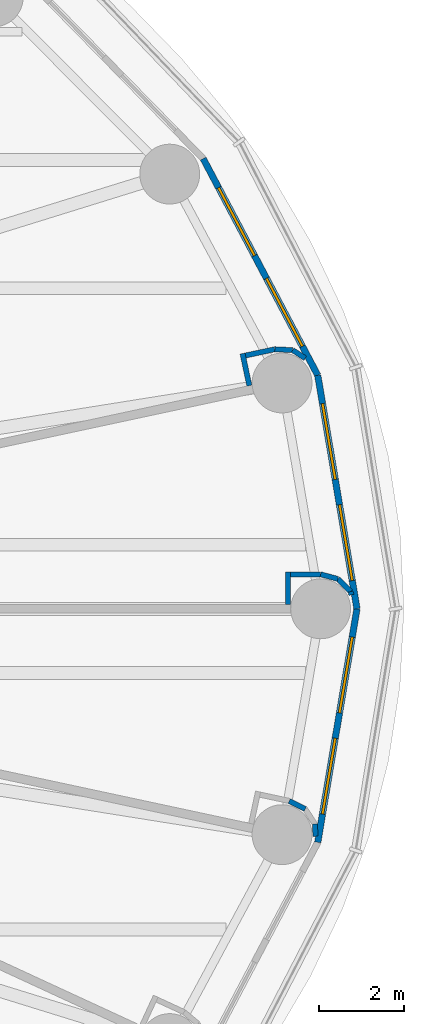
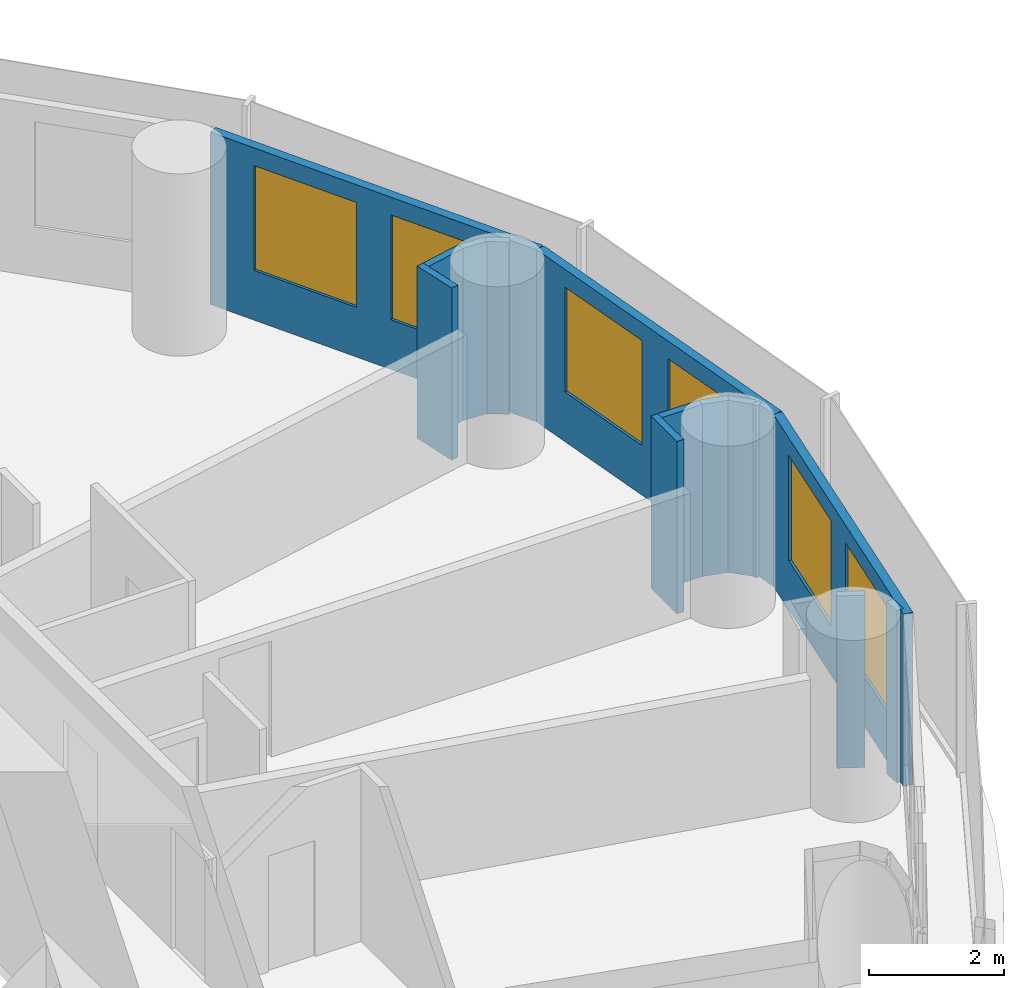
# One storey, part 11 of 14: 14 walls, 6 windows, 6 openings.
"""IFC4 building model written with IfcOpenShell, lengths in metres."""

import ifcopenshell
import ifcopenshell.guid

model = None  # the IFC model being written
_history = None  # IfcOwnerHistory: only IFC2X3 demands one
_inside = {}  # id of a spatial element -> (the spatial element, [elements in it])
_under = {}  # id of a project, library or spatial element -> (it, [spatial elements below it])
_declared = {}  # id of a project -> (the project, [libraries it declares])
_typed = {}  # id of a type object -> (the type object, [elements of that type])
_made_of = {}  # id of a material, layer set ... -> (it, [elements and type objects made of it])


def new_model(schema):
    """Start an empty IFC model of exactly this schema.

    Asked for "IFC4X3", IfcOpenShell would pick the latest addendum, in which some entities
    have other attributes; the version numbers below select the first issue.
    IFC2X3 requires an IfcOwnerHistory on every rooted entity: one is made here for all.
    """
    global model, _history
    if schema == "IFC4X3":
        model = ifcopenshell.file(schema_version=(4, 3, 0, 0))
    else:
        model = ifcopenshell.file(schema=schema)
    _inside.clear()
    _under.clear()
    _declared.clear()
    _typed.clear()
    _made_of.clear()
    _history = None
    if model.schema == "IFC2X3":
        org = make("IfcOrganization", Name="unknown")
        user = make(
            "IfcPersonAndOrganization",
            ThePerson=make("IfcPerson", FamilyName="unknown"),
            TheOrganization=org,
        )
        app = make(
            "IfcApplication",
            ApplicationDeveloper=org,
            Version="unknown",
            ApplicationFullName="unknown",
            ApplicationIdentifier="unknown",
        )
        _history = make(
            "IfcOwnerHistory",
            OwningUser=user,
            OwningApplication=app,
            ChangeAction="ADDED",
            CreationDate=0,
        )
    return model


def make(cls, **values):
    """One entity of the class cls with the attributes given. An attribute that is None is left unset."""
    return model.create_entity(
        cls, **{name: value for name, value in values.items() if value is not None}
    )


def rooted(cls, **values):
    """An entity with a GlobalId (a new one), such as an element, a storey or a relation."""
    return make(cls, GlobalId=ifcopenshell.guid.new(), OwnerHistory=_history, **values)


def si_unit(unit_type, name, prefix=None):
    """IfcSIUnit, for example si_unit("LENGTHUNIT", "METRE", prefix="MILLI")."""
    return make("IfcSIUnit", UnitType=unit_type, Prefix=prefix, Name=name)


def assignment(units):
    """IfcUnitAssignment: the units of a project."""
    return None if units is None else make("IfcUnitAssignment", Units=units)


def point(xyz):
    """IfcCartesianPoint."""
    return None if xyz is None else make("IfcCartesianPoint", Coordinates=xyz)


def direction(xyz):
    """IfcDirection."""
    return None if xyz is None else make("IfcDirection", DirectionRatios=xyz)


def frame(location, z_axis=None, x_axis=None):
    """IfcAxis2Placement3D, a coordinate frame: its origin and axes. An axis left out is left unset."""
    return make(
        "IfcAxis2Placement3D",
        Location=point(location),
        Axis=direction(z_axis),
        RefDirection=direction(x_axis),
    )


def frame_2d(location, x_axis=None):
    """IfcAxis2Placement2D, a coordinate frame in the plane: its origin and x axis."""
    return make(
        "IfcAxis2Placement2D", Location=point(location), RefDirection=direction(x_axis)
    )


def origin():
    """The frame at (0, 0, 0) with its axes left unset."""
    return frame((0.0, 0.0, 0.0))


def place(relative_to, where):
    """IfcLocalPlacement: puts the frame where relative to a parent placement (None: the world)."""
    return make(
        "IfcLocalPlacement", PlacementRelTo=relative_to, RelativePlacement=where
    )


def context(
    kind, dimensions, precision=None, world=None, true_north=None, identifier=None
):
    """IfcGeometricRepresentationContext, for example the 3D "Model" context."""
    return make(
        "IfcGeometricRepresentationContext",
        ContextIdentifier=identifier,
        ContextType=kind,
        CoordinateSpaceDimension=dimensions,
        Precision=precision,
        WorldCoordinateSystem=world,
        TrueNorth=true_north,
    )


def subcontext(parent, identifier, kind, view, scale=None):
    """IfcGeometricRepresentationSubContext, for example "Body" below "Model"."""
    return make(
        "IfcGeometricRepresentationSubContext",
        ContextIdentifier=identifier,
        ContextType=kind,
        ParentContext=parent,
        TargetScale=scale,
        TargetView=view,
    )


def project(units=None, contexts=None):
    """IfcProject with its units and contexts."""
    return rooted(
        "IfcProject",
        Name="project",
        RepresentationContexts=contexts,
        UnitsInContext=assignment(units),
    )


def spatial(cls, under=None, at=None, **own):
    """A site, building, storey or space (cls), placed at a placement, below another one or the project."""
    s = rooted(cls, ObjectPlacement=at, **own)
    if under is not None:
        _under.setdefault(under.id(), (under, []))[1].append(s)
    return s


def profile(cls, at=None, kind="AREA", **sizes):
    """A parametric profile (cls). Its sizes go by their IFC names, for example OverallWidth=200.0."""
    return make(cls, ProfileType=kind, Position=at, **sizes)


def rectangle(**sizes):
    """IfcRectangleProfileDef."""
    return profile("IfcRectangleProfileDef", **sizes)


def extrude(swept, where, along, depth):
    """IfcExtrudedAreaSolid: the profile swept, set in the frame where, extruded along a direction by depth."""
    return make(
        "IfcExtrudedAreaSolid",
        SweptArea=swept,
        Position=where,
        ExtrudedDirection=direction(along),
        Depth=depth,
    )


def shape(context_of_items, identifier, shape_type, items):
    """IfcShapeRepresentation: the items that make up one representation, for example the "Body"."""
    return make(
        "IfcShapeRepresentation",
        ContextOfItems=context_of_items,
        RepresentationIdentifier=identifier,
        RepresentationType=shape_type,
        Items=items,
    )


def material(Name=None, Category=None):
    """IfcMaterial."""
    return make("IfcMaterial", Name=Name, Category=Category)


def layer(
    of_material, thickness, ventilated=None, Name=None, Category=None, Priority=None
):
    """IfcMaterialLayer: one layer of a wall or slab, of a material (None: an air gap)."""
    return make(
        "IfcMaterialLayer",
        Material=of_material,
        LayerThickness=thickness,
        IsVentilated=ventilated,
        Name=Name,
        Category=Category,
        Priority=Priority,
    )


def layer_set(layers, Name=None):
    """IfcMaterialLayerSet."""
    return make("IfcMaterialLayerSet", MaterialLayers=layers, LayerSetName=Name)


def made_of(thing, what):
    """Note that an element or type object is made of a material, layer set ...; save() writes the relation."""
    if what is not None:
        _made_of.setdefault(what.id(), (what, []))[1].append(thing)
    return thing


def type_object(cls, material=None, **own):
    """A type object (cls), such as IfcWallType, which elements share."""
    return made_of(rooted(cls, **own), material)


def element(
    cls,
    number,
    at=None,
    inside=None,
    cuts=None,
    type_object=None,
    material=None,
    context=None,
    identifier="Body",
    shape_type=None,
    held_by="IfcProductDefinitionShape",
    body=None,
    shapes=None,
    **own,
):
    """One element of the class cls, such as IfcWall. Its Tag is "e" and its number.

    at: its placement. inside: the storey or other place that contains it. cuts: it is an
    opening in that element (IfcRelVoidsElement). A single representation is given by context,
    identifier, shape_type and body (its items); several are given by shapes. held_by: the class
    of the entity that holds the representations. save() writes the other relations.
    """
    e = rooted(cls, Tag="e%d" % number, ObjectPlacement=at, **own)
    if body is not None:
        shapes = [shape(context, identifier, shape_type, body)]
    if shapes is not None:
        e.Representation = make(held_by, Representations=shapes)
    if inside is not None:
        _inside.setdefault(inside.id(), (inside, []))[1].append(e)
    if cuts is not None:
        rooted(
            "IfcRelVoidsElement", RelatingBuildingElement=cuts, RelatedOpeningElement=e
        )
    if type_object is not None:
        _typed.setdefault(type_object.id(), (type_object, []))[1].append(e)
    return made_of(e, material)


def fill(opening, filler):
    """IfcRelFillsElement: the door or window that sits in an opening."""
    return rooted(
        "IfcRelFillsElement",
        RelatingOpeningElement=opening,
        RelatedBuildingElement=filler,
    )


def aggregate(whole, parts):
    """IfcRelAggregates: a whole, such as a stair, and the parts it consists of."""
    return rooted("IfcRelAggregates", RelatingObject=whole, RelatedObjects=parts)


def save(model, path):
    """Write the relations noted so far, then the file.

    IfcRelAggregates (storeys below a building ...), IfcRelContainedInSpatialStructure (elements
    in a storey), IfcRelDefinesByType, IfcRelAssociatesMaterial and IfcRelDeclares: one each for
    every whole, place, type object, material and project.
    """
    for whole, parts in _under.values():
        aggregate(whole, parts)
    for where, things in _inside.values():
        rooted(
            "IfcRelContainedInSpatialStructure",
            RelatedElements=things,
            RelatingStructure=where,
        )
    for kind, things in _typed.values():
        rooted("IfcRelDefinesByType", RelatedObjects=things, RelatingType=kind)
    for what, things in _made_of.values():
        rooted("IfcRelAssociatesMaterial", RelatedObjects=things, RelatingMaterial=what)
    for by, libraries in _declared.values():
        rooted("IfcRelDeclares", RelatingContext=by, RelatedDefinitions=libraries)
    model.write(path)


model = new_model("IFC4")

# Units and contexts
model_context = context("Model", 3, precision=1e-05, world=origin(), true_north=direction((0.0, 1.0)))
body_context = subcontext(model_context, "Body", "Model", "MODEL_VIEW")
ifc_project = project(units=[si_unit("LENGTHUNIT", "METRE"), si_unit("AREAUNIT", "SQUARE_METRE"), si_unit("VOLUMEUNIT", "CUBIC_METRE"), si_unit("PLANEANGLEUNIT", "RADIAN"), si_unit("MASSUNIT", "GRAM", prefix="KILO")], contexts=[model_context])

# Site, building, storey
site_placement = place(None, origin())
site = spatial("IfcSite", under=ifc_project, at=site_placement, CompositionType="ELEMENT")
building_placement = place(site_placement, origin())
building = spatial("IfcBuilding", under=site, at=building_placement, Name="Hankou Lantern Tower", CompositionType="ELEMENT")
storey_placement = place(building_placement, frame((0.0, 0.0, 63.89990234375)))
storey = spatial("IfcBuildingStorey", under=building, at=storey_placement, Name="L15", CompositionType="ELEMENT", Elevation=63.89990234375)

# Wall, openings, windows
ifc_material_1 = material(Name="Aluminium spandrel panel on steel studs", Category="steel")
ifc_layer_1 = layer(ifc_material_1, 0.14990234375)
ifc_layer_set_1 = layer_set([ifc_layer_1], Name="Aluminium spandrel panel on steel studs")
wall_type_1 = type_object("IfcWallType", Name="EW1 INNER SKIN WALL 150", PredefinedType="ELEMENTEDWALL", material=ifc_layer_set_1)
wall_1_placement = place(storey_placement, frame((26.39990234375, 0.0, 0.0), z_axis=(0.0, 0.0, 1.0), x_axis=(-0.165642551694, 0.986185857264, 0.0)))
wall_1 = element("IfcWall", 1, at=wall_1_placement, inside=storey, type_object=wall_type_1, Name="Inner skin R01-R02 L15", PredefinedType="ELEMENTEDWALL", context=body_context, shape_type="SweptSolid", body=[
    extrude(rectangle(XDim=5.538818359375, YDim=0.14990234375, at=frame_2d((2.76953125, 0.0))), origin(), (0.0, 0.0, 1.0), 3.1201171875),
])
opening_1_placement = place(wall_1_placement, frame((0.66943359375, 0.0, 0.89990234375)))
opening_1 = element("IfcOpeningElement", 2, at=opening_1_placement, cuts=wall_1, Name="Opening W1", PredefinedType="OPENING", context=body_context, shape_type="SweptSolid", body=[
    extrude(rectangle(XDim=1.800048828125, YDim=1.89990234375, at=frame_2d((0.89990234375, 0.949951171875))), frame((0.0, 0.0849609375, 0.0), z_axis=(0.0, -1.0, 0.0), x_axis=(1.0, 0.0, 0.0)), (0.0, 0.0, 1.0), 0.169921875),
])
opening_2_placement = place(wall_1_placement, frame((3.069580078125, 0.0, 0.89990234375)))
opening_2 = element("IfcOpeningElement", 3, at=opening_2_placement, cuts=wall_1, Name="Opening W1", PredefinedType="OPENING", context=body_context, shape_type="SweptSolid", body=[
    extrude(rectangle(XDim=1.800048828125, YDim=1.89990234375, at=frame_2d((0.89990234375, 0.949951171875))), frame((0.0, 0.0849609375, 0.0), z_axis=(0.0, -1.0, 0.0), x_axis=(1.0, 0.0, 0.0)), (0.0, 0.0, 1.0), 0.169921875),
])
ifc_material_2 = material(Name="Aluminium framed double glazed window", Category="aluminium")
window_type = type_object("IfcWindowType", Name="W1 GUEST ROOM WINDOW 1800X1900", PartitioningType="DOUBLE_PANEL_VERTICAL", PredefinedType="WINDOW", material=ifc_material_2)
window_1_placement = place(opening_1_placement, origin())
window_1 = element("IfcWindow", 4, at=window_1_placement, inside=storey, type_object=window_type, Name="Window R01.1 L15", OverallHeight=1.89990234375, OverallWidth=1.800048828125, PartitioningType="SINGLE_PANEL", PredefinedType="WINDOW", context=body_context, shape_type="SweptSolid", body=[
    extrude(rectangle(XDim=1.800048828125, YDim=1.89990234375, at=frame_2d((0.89990234375, 0.949951171875))), frame((0.0, 0.030029296875, 0.0), z_axis=(0.0, -1.0, 0.0), x_axis=(1.0, 0.0, 0.0)), (0.0, 0.0, 1.0), 0.06005859375),
])
fill(opening_1, window_1)
window_2_placement = place(opening_2_placement, origin())
window_2 = element("IfcWindow", 5, at=window_2_placement, inside=storey, type_object=window_type, Name="Window R01.2 L15", OverallHeight=1.89990234375, OverallWidth=1.800048828125, PartitioningType="SINGLE_PANEL", PredefinedType="WINDOW", context=body_context, shape_type="SweptSolid", body=[
    extrude(rectangle(XDim=1.800048828125, YDim=1.89990234375, at=frame_2d((0.89990234375, 0.949951171875))), frame((0.0, 0.030029296875, 0.0), z_axis=(0.0, -1.0, 0.0), x_axis=(1.0, 0.0, 0.0)), (0.0, 0.0, 1.0), 0.06005859375),
])
fill(opening_2, window_2)

wall_2_placement = place(storey_placement, frame((25.482421875, 5.46240234375, 0.0), z_axis=(0.0, 0.0, 1.0), x_axis=(-0.467296867008, 0.884100468321, 0.0)))
wall_2 = element("IfcWall", 6, at=wall_2_placement, inside=storey, type_object=wall_type_1, Name="Inner skin R02-R03 L15", PredefinedType="ELEMENTEDWALL", context=body_context, shape_type="SweptSolid", body=[
    extrude(rectangle(XDim=5.734375, YDim=0.14990234375, at=frame_2d((2.8671875, 0.0))), origin(), (0.0, 0.0, 1.0), 3.1201171875),
])
opening_3_placement = place(wall_2_placement, frame((0.76708984375, 0.0, 0.89990234375)))
opening_3 = element("IfcOpeningElement", 7, at=opening_3_placement, cuts=wall_2, Name="Opening W1", PredefinedType="OPENING", context=body_context, shape_type="SweptSolid", body=[
    extrude(rectangle(XDim=1.800048828125, YDim=1.89990234375, at=frame_2d((0.89990234375, 0.949951171875))), frame((0.0, 0.0849609375, 0.0), z_axis=(0.0, -1.0, 0.0), x_axis=(1.0, 0.0, 0.0)), (0.0, 0.0, 1.0), 0.169921875),
])
opening_4_placement = place(wall_2_placement, frame((3.167236328125, 0.0, 0.89990234375)))
opening_4 = element("IfcOpeningElement", 8, at=opening_4_placement, cuts=wall_2, Name="Opening W1", PredefinedType="OPENING", context=body_context, shape_type="SweptSolid", body=[
    extrude(rectangle(XDim=1.800048828125, YDim=1.89990234375, at=frame_2d((0.89990234375, 0.949951171875))), frame((0.0, 0.0849609375, 0.0), z_axis=(0.0, -1.0, 0.0), x_axis=(1.0, 0.0, 0.0)), (0.0, 0.0, 1.0), 0.169921875),
])
window_3_placement = place(opening_3_placement, origin())
window_3 = element("IfcWindow", 9, at=window_3_placement, inside=storey, type_object=window_type, Name="Window R02.1 L15", OverallHeight=1.89990234375, OverallWidth=1.800048828125, PartitioningType="SINGLE_PANEL", PredefinedType="WINDOW", context=body_context, shape_type="SweptSolid", body=[
    extrude(rectangle(XDim=1.800048828125, YDim=1.89990234375, at=frame_2d((0.89990234375, 0.949951171875))), frame((0.0, 0.030029296875, 0.0), z_axis=(0.0, -1.0, 0.0), x_axis=(1.0, 0.0, 0.0)), (0.0, 0.0, 1.0), 0.06005859375),
])
fill(opening_3, window_3)
window_4_placement = place(opening_4_placement, origin())
window_4 = element("IfcWindow", 10, at=window_4_placement, inside=storey, type_object=window_type, Name="Window R02.2 L15", OverallHeight=1.89990234375, OverallWidth=1.800048828125, PartitioningType="SINGLE_PANEL", PredefinedType="WINDOW", context=body_context, shape_type="SweptSolid", body=[
    extrude(rectangle(XDim=1.800048828125, YDim=1.89990234375, at=frame_2d((0.89990234375, 0.949951171875))), frame((0.0, 0.030029296875, 0.0), z_axis=(0.0, -1.0, 0.0), x_axis=(1.0, 0.0, 0.0)), (0.0, 0.0, 1.0), 0.06005859375),
])
fill(opening_4, window_4)

wall_3_placement = place(storey_placement, frame((25.482421875, -5.46240234375, 0.0), z_axis=(0.0, 0.0, 1.0), x_axis=(0.165642551694, 0.986185857264, 0.0)))
wall_3 = element("IfcWall", 11, at=wall_3_placement, inside=storey, type_object=wall_type_1, Name="Inner skin R24-R01 L15", PredefinedType="ELEMENTEDWALL", context=body_context, shape_type="SweptSolid", body=[
    extrude(rectangle(XDim=5.538818359375, YDim=0.14990234375, at=frame_2d((2.76953125, 0.0))), origin(), (0.0, 0.0, 1.0), 3.1201171875),
])
opening_5_placement = place(wall_3_placement, frame((0.66943359375, 0.0, 0.89990234375)))
opening_5 = element("IfcOpeningElement", 12, at=opening_5_placement, cuts=wall_3, Name="Opening W1", PredefinedType="OPENING", context=body_context, shape_type="SweptSolid", body=[
    extrude(rectangle(XDim=1.800048828125, YDim=1.89990234375, at=frame_2d((0.89990234375, 0.949951171875))), frame((0.0, 0.0849609375, 0.0), z_axis=(0.0, -1.0, 0.0), x_axis=(1.0, 0.0, 0.0)), (0.0, 0.0, 1.0), 0.169921875),
])
opening_6_placement = place(wall_3_placement, frame((3.069580078125, 0.0, 0.89990234375)))
opening_6 = element("IfcOpeningElement", 13, at=opening_6_placement, cuts=wall_3, Name="Opening W1", PredefinedType="OPENING", context=body_context, shape_type="SweptSolid", body=[
    extrude(rectangle(XDim=1.800048828125, YDim=1.89990234375, at=frame_2d((0.89990234375, 0.949951171875))), frame((0.0, 0.0849609375, 0.0), z_axis=(0.0, -1.0, 0.0), x_axis=(1.0, 0.0, 0.0)), (0.0, 0.0, 1.0), 0.169921875),
])
window_5_placement = place(opening_5_placement, origin())
window_5 = element("IfcWindow", 14, at=window_5_placement, inside=storey, type_object=window_type, Name="Window R24.1 L15", OverallHeight=1.89990234375, OverallWidth=1.800048828125, PartitioningType="SINGLE_PANEL", PredefinedType="WINDOW", context=body_context, shape_type="SweptSolid", body=[
    extrude(rectangle(XDim=1.800048828125, YDim=1.89990234375, at=frame_2d((0.89990234375, 0.949951171875))), frame((0.0, 0.030029296875, 0.0), z_axis=(0.0, -1.0, 0.0), x_axis=(1.0, 0.0, 0.0)), (0.0, 0.0, 1.0), 0.06005859375),
])
fill(opening_5, window_5)
window_6_placement = place(opening_6_placement, origin())
window_6 = element("IfcWindow", 15, at=window_6_placement, inside=storey, type_object=window_type, Name="Window R24.2 L15", OverallHeight=1.89990234375, OverallWidth=1.800048828125, PartitioningType="SINGLE_PANEL", PredefinedType="WINDOW", context=body_context, shape_type="SweptSolid", body=[
    extrude(rectangle(XDim=1.800048828125, YDim=1.89990234375, at=frame_2d((0.89990234375, 0.949951171875))), frame((0.0, 0.030029296875, 0.0), z_axis=(0.0, -1.0, 0.0), x_axis=(1.0, 0.0, 0.0)), (0.0, 0.0, 1.0), 0.06005859375),
])
fill(opening_6, window_6)

# Walls
ifc_material_3 = material(Name="Masonry lightweight concrete block", Category="masonry")
ifc_layer_2 = layer(ifc_material_3, 0.1201171875)
ifc_layer_set_2 = layer_set([ifc_layer_2], Name="Masonry lightweight concrete block")
wall_type_2 = type_object("IfcWallType", Name="IW4 PARTITION 120", PredefinedType="PARTITIONING", material=ifc_layer_set_2)
wall_4_placement = place(storey_placement, frame((24.7900390625, 0.10009765625, 0.0), z_axis=(0.0, 0.0, 1.0), x_axis=(0.0, 1.0, 0.0)))
element("IfcWall", 16, at=wall_4_placement, inside=storey, type_object=wall_type_2, Name="Column casing R01 return", PredefinedType="PARTITIONING", context=body_context, shape_type="SweptSolid", body=[
    extrude(rectangle(XDim=0.767333984375, YDim=0.1201171875, at=frame_2d((0.3837890625, 0.0))), origin(), (0.0, 0.0, 1.0), 3.1201171875),
])
wall_5_placement = place(storey_placement, frame((24.85009765625, 0.8076171875, 0.0), z_axis=(0.0, 0.0, 1.0), x_axis=(1.0, 0.0, 0.0)))
element("IfcWall", 17, at=wall_5_placement, inside=storey, type_object=wall_type_2, Name="Column casing R01", PredefinedType="PARTITIONING", context=body_context, shape_type="SweptSolid", body=[
    extrude(rectangle(XDim=0.699951171875, YDim=0.1201171875, at=frame_2d((0.35009765625, 0.0))), origin(), (0.0, 0.0, 1.0), 3.1201171875),
])
wall_6_placement = place(storey_placement, frame((25.550048828125, 0.8076171875, 0.0), z_axis=(0.0, 0.0, 1.0), x_axis=(0.965807183573, -0.2592614205, 0.0)))
element("IfcWall", 18, at=wall_6_placement, inside=storey, type_object=wall_type_2, Name="Column casing R01", PredefinedType="PARTITIONING", context=body_context, shape_type="SweptSolid", body=[
    extrude(rectangle(XDim=0.418212890625, YDim=0.1201171875, at=frame_2d((0.208984375, 0.0))), origin(), (0.0, 0.0, 1.0), 3.1201171875),
])
wall_7_placement = place(storey_placement, frame((25.953857421875, 0.69921875, 0.0), z_axis=(0.0, 0.0, 1.0), x_axis=(0.707106781187, -0.707106781187, 0.0)))
element("IfcWall", 19, at=wall_7_placement, inside=storey, type_object=wall_type_2, Name="Column casing R01", PredefinedType="PARTITIONING", context=body_context, shape_type="SweptSolid", body=[
    extrude(rectangle(XDim=0.417724609375, YDim=0.1201171875, at=frame_2d((0.208984375, 0.0))), origin(), (0.0, 0.0, 1.0), 3.1201171875),
])
wall_8_placement = place(storey_placement, frame((26.249267578125, 0.40380859375, 0.0), z_axis=(0.0, 0.0, 1.0), x_axis=(0.259754282609, -0.965674744759, 0.0)))
element("IfcWall", 20, at=wall_8_placement, inside=storey, type_object=wall_type_2, Name="Column casing R01", PredefinedType="PARTITIONING", context=body_context, shape_type="SweptSolid", body=[
    extrude(rectangle(XDim=0.079833984375, YDim=0.1201171875, at=frame_2d((0.0400390625, 0.0))), origin(), (0.0, 0.0, 1.0), 3.1201171875),
])
wall_9_placement = place(storey_placement, frame((23.8828125, 5.2216796875, 0.0), z_axis=(0.0, 0.0, 1.0), x_axis=(-0.209311842415, 0.977848941619, 0.0)))
element("IfcWall", 21, at=wall_9_placement, inside=storey, type_object=wall_type_2, Name="Column casing R02 return", PredefinedType="PARTITIONING", context=body_context, shape_type="SweptSolid", body=[
    extrude(rectangle(XDim=0.767578125, YDim=0.1201171875, at=frame_2d((0.3837890625, 0.0))), origin(), (0.0, 0.0, 1.0), 3.1201171875),
])
wall_10_placement = place(storey_placement, frame((23.793212890625, 5.92626953125, 0.0), z_axis=(0.0, 0.0, 1.0), x_axis=(0.977792206673, 0.209576717621, 0.0)))
element("IfcWall", 22, at=wall_10_placement, inside=storey, type_object=wall_type_2, Name="Column casing R02", PredefinedType="PARTITIONING", context=body_context, shape_type="SweptSolid", body=[
    extrude(rectangle(XDim=0.7001953125, YDim=0.1201171875, at=frame_2d((0.35009765625, 0.0))), origin(), (0.0, 0.0, 1.0), 3.1201171875),
])
wall_11_placement = place(storey_placement, frame((24.477783203125, 6.072998046875, 0.0), z_axis=(0.0, 0.0, 1.0), x_axis=(0.998708262812, -0.05081147302, 0.0)))
element("IfcWall", 23, at=wall_11_placement, inside=storey, type_object=wall_type_2, Name="Column casing R02", PredefinedType="PARTITIONING", context=body_context, shape_type="SweptSolid", body=[
    extrude(rectangle(XDim=0.41796875, YDim=0.1201171875, at=frame_2d((0.208984375, 0.0))), origin(), (0.0, 0.0, 1.0), 3.1201171875),
])
wall_12_placement = place(storey_placement, frame((24.895263671875, 6.0517578125, 0.0), z_axis=(0.0, 0.0, 1.0), x_axis=(0.839495197275, -0.54336710772, 0.0)))
element("IfcWall", 24, at=wall_12_placement, inside=storey, type_object=wall_type_2, Name="Column casing R02", PredefinedType="PARTITIONING", context=body_context, shape_type="SweptSolid", body=[
    extrude(rectangle(XDim=0.349609375, YDim=0.1201171875, at=frame_2d((0.1748046875, 0.0))), origin(), (0.0, 0.0, 1.0), 3.1201171875),
])
wall_13_placement = place(storey_placement, frame((24.816162109375, -4.49365234375, 0.0), z_axis=(0.0, 0.0, 1.0), x_axis=(0.890303208847, -0.455368198623, 0.0)))
element("IfcWall", 25, at=wall_13_placement, inside=storey, type_object=wall_type_2, Name="Column casing R24", PredefinedType="PARTITIONING", context=body_context, shape_type="SweptSolid", body=[
    extrude(rectangle(XDim=0.418212890625, YDim=0.1201171875, at=frame_2d((0.208984375, 0.0))), origin(), (0.0, 0.0, 1.0), 3.1201171875),
])
wall_14_placement = place(storey_placement, frame((25.41552734375, -5.03515625, 0.0), z_axis=(0.0, 0.0, 1.0), x_axis=(0.050406329159, -0.998728793007, 0.0)))
element("IfcWall", 26, at=wall_14_placement, inside=storey, type_object=wall_type_2, Name="Column casing R24", PredefinedType="PARTITIONING", context=body_context, shape_type="SweptSolid", body=[
    extrude(rectangle(XDim=0.28564453125, YDim=0.1201171875, at=frame_2d((0.142822265625, 0.0))), origin(), (0.0, 0.0, 1.0), 3.1201171875),
])

save(model, "model.ifc")
